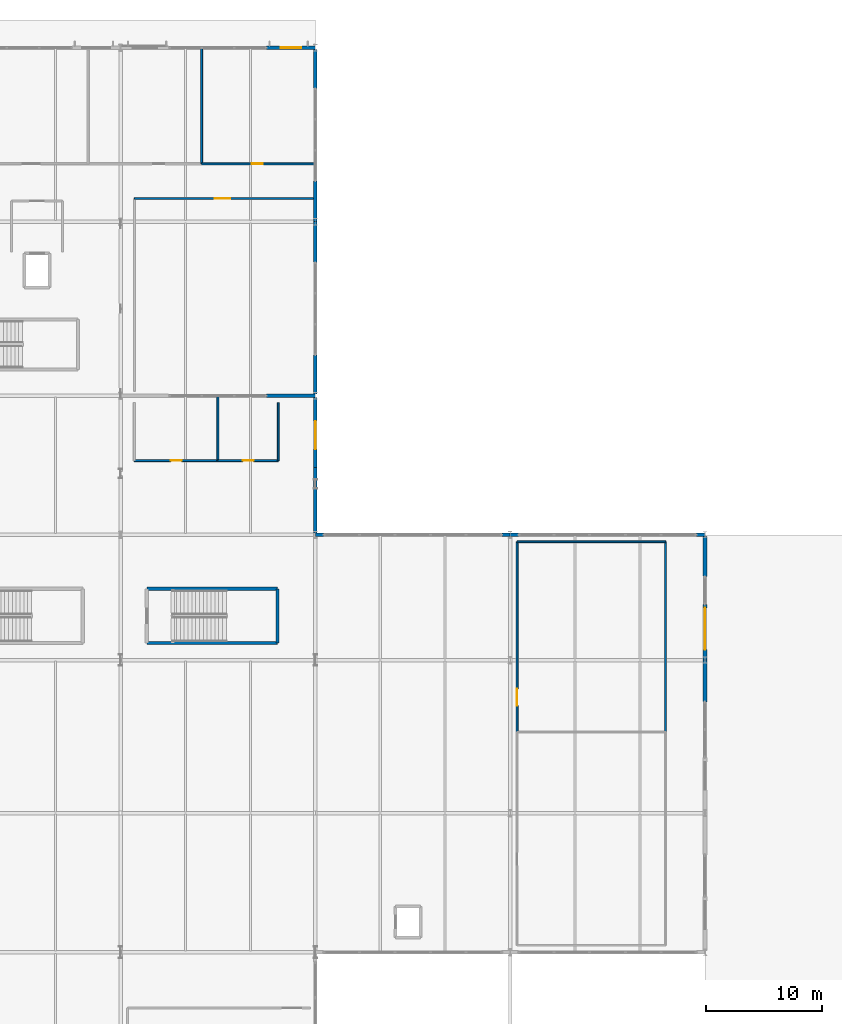
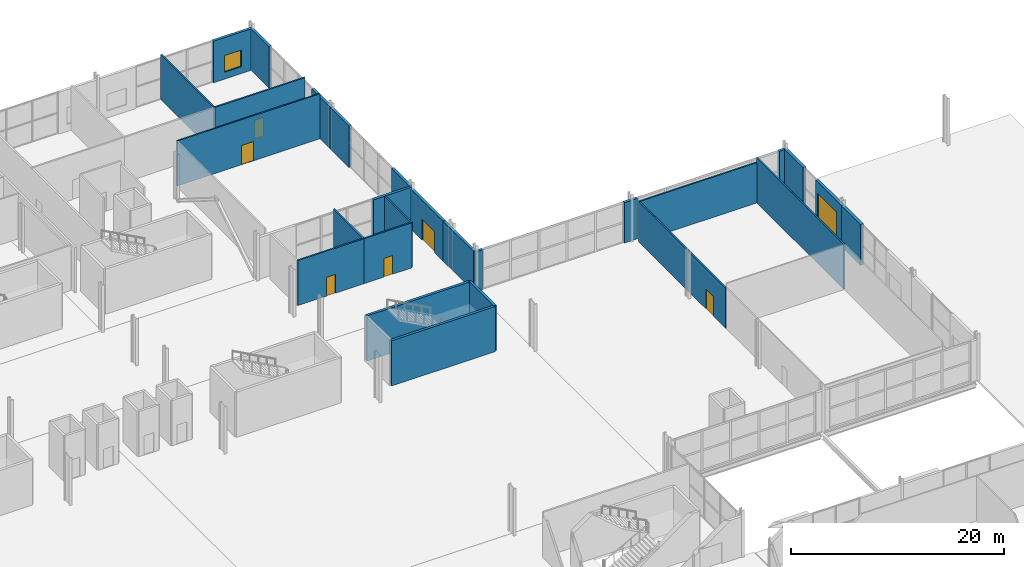
# One storey, part 70 of 87: 28 walls, 7 doors, 1 window, 8 openings.
"""IFC4 building model written with IfcOpenShell, lengths in metres."""

from ifc_helpers import new_model, si_unit, direction, frame, frame_2d, origin, place, context, subcontext, project, spatial, rectangle, extrude, material, layer, layer_set, type_object, element, fill, save


model = new_model("IFC4")

# Units and contexts
model_context = context("Model", 3, precision=1e-05, world=origin(), true_north=direction((0.0, 1.0)))
body_context = subcontext(model_context, "Body", "Model", "MODEL_VIEW")
ifc_project = project(units=[si_unit("LENGTHUNIT", "METRE"), si_unit("AREAUNIT", "SQUARE_METRE"), si_unit("VOLUMEUNIT", "CUBIC_METRE"), si_unit("PLANEANGLEUNIT", "RADIAN"), si_unit("MASSUNIT", "GRAM", prefix="KILO")], contexts=[model_context])

# Site, building, storey
site_placement = place(None, origin())
site = spatial("IfcSite", under=ifc_project, at=site_placement, CompositionType="ELEMENT")
building_placement = place(site_placement, origin())
building = spatial("IfcBuilding", under=site, at=building_placement, Name="Kimbaza Rail Terminus", CompositionType="ELEMENT")
storey_placement = place(building_placement, origin())
storey = spatial("IfcBuildingStorey", under=building, at=storey_placement, Name="L00", CompositionType="ELEMENT", Elevation=0.0)

# Wall, opening, window
ifc_material_1 = material(Name="Precast concrete C40/50", Category="concrete")
ifc_layer_1 = layer(ifc_material_1, 0.280029296875)
ifc_layer_set_1 = layer_set([ifc_layer_1], Name="Precast concrete C40/50")
wall_type_1 = type_object("IfcWallType", Name="ARC-WL-EXT280", PredefinedType="STANDARD", material=ifc_layer_set_1)
wall_1_placement = place(storey_placement, frame((151.800048828125, 133.0, 0.0), z_axis=(0.0, 0.0, 1.0), x_axis=(1.0, 0.0, 0.0)))
wall_1 = element("IfcWall", 1, at=wall_1_placement, inside=storey, type_object=wall_type_1, Name="Operations North Pier L00 5B", PredefinedType="STANDARD", context=body_context, shape_type="SweptSolid", body=[
    extrude(rectangle(XDim=4.199951171875, YDim=0.280029296875, at=frame_2d((2.10009765625, 0.0))), origin(), (0.0, 0.0, 1.0), 4.764892578125),
])
opening_1_placement = place(wall_1_placement, frame((1.199951171875, 0.0, 0.800048828125)))
opening_1 = element("IfcOpeningElement", 2, at=opening_1_placement, cuts=wall_1, Name="Opening W-07", PredefinedType="OPENING", context=body_context, shape_type="SweptSolid", body=[
    extrude(rectangle(XDim=1.800048828125, YDim=1.89990234375, at=frame_2d((0.89990234375, 0.949951171875))), frame((0.0, 0.14990234375, 0.0), z_axis=(0.0, -1.0, 0.0), x_axis=(1.0, 0.0, 0.0)), (0.0, 0.0, 1.0), 0.300048828125),
])
ifc_material_2 = material(Name="Thermally broken aluminium and solar low-E glass", Category="aluminium")
window_type = type_object("IfcWindowType", Name="ARC-WIN-W-07", PartitioningType="SINGLE_PANEL", PredefinedType="WINDOW", material=ifc_material_2)
window_placement = place(opening_1_placement, origin())
window = element("IfcWindow", 3, at=window_placement, inside=storey, type_object=window_type, Name="North Facade Window W-07", OverallHeight=1.89990234375, OverallWidth=1.800048828125, PartitioningType="SINGLE_PANEL", PredefinedType="WINDOW", context=body_context, shape_type="SweptSolid", body=[
    extrude(rectangle(XDim=1.800048828125, YDim=1.89990234375, at=frame_2d((0.89990234375, 0.949951171875))), frame((0.0, 0.030029296875, 0.0), z_axis=(0.0, -1.0, 0.0), x_axis=(1.0, 0.0, 0.0)), (0.0, 0.0, 1.0), 0.06005859375),
])
fill(opening_1, window)

# Walls
wall_2_placement = place(storey_placement, frame((151.800048828125, 103.0, 0.0), z_axis=(0.0, 0.0, 1.0), x_axis=(1.0, 0.0, 0.0)))
element("IfcWall", 4, at=wall_2_placement, inside=storey, type_object=wall_type_1, Name="Operations South Wall L00 5B", PredefinedType="STANDARD", context=body_context, shape_type="SweptSolid", body=[
    extrude(rectangle(XDim=4.199951171875, YDim=0.280029296875, at=frame_2d((2.10009765625, 0.0))), origin(), (0.0, 0.0, 1.0), 4.764892578125),
])
wall_3_placement = place(storey_placement, frame((156.0, 103.139892578125, 0.0), z_axis=(0.0, 0.0, 1.0), x_axis=(0.0, 1.0, 0.0)))
element("IfcWall", 5, at=wall_3_placement, inside=storey, type_object=wall_type_1, Name="Operations E End Pier L00", PredefinedType="STANDARD", context=body_context, shape_type="SweptSolid", body=[
    extrude(rectangle(XDim=3.360107421875, YDim=0.280029296875, at=frame_2d((1.68017578125, 0.0))), origin(), (0.0, 0.0, 1.0), 4.764892578125),
])
for number, where, z_axis, x_axis, name in (
    (6, (156.0, 114.5, 0.0), (0.0, 0.0, 1.0), (0.0, 1.0, 0.0), "Operations E Corner Wall L00"),
    (7, (156.0, 118.0, 0.0), (0.0, 0.0, 1.0), (0.0, 1.0, 0.0), "Operations E End Pier L00"),
):
    element("IfcWall", number, at=place(storey_placement, frame(where, z_axis=z_axis, x_axis=x_axis)), inside=storey, type_object=wall_type_1, Name=name, PredefinedType="STANDARD", context=body_context, shape_type="SweptSolid", body=[
        extrude(rectangle(XDim=3.5, YDim=0.280029296875, at=frame_2d((1.75, 0.0))), origin(), (0.0, 0.0, 1.0), 4.764892578125),
    ])
wall_4_placement = place(storey_placement, frame((156.0, 129.5, 0.0), z_axis=(0.0, 0.0, 1.0), x_axis=(0.0, 1.0, 0.0)))
element("IfcWall", 8, at=wall_4_placement, inside=storey, type_object=wall_type_1, Name="Operations E Corner Wall L00", PredefinedType="STANDARD", context=body_context, shape_type="SweptSolid", body=[
    extrude(rectangle(XDim=3.360107421875, YDim=0.280029296875, at=frame_2d((1.68017578125, 0.0))), origin(), (0.0, 0.0, 1.0), 4.764892578125),
])
for number, where, z_axis, x_axis, name in (
    (9, (156.0, 91.0, 0.0), (0.0, 0.0, 1.0), (1.0, 0.0, 0.0), "Ticket Hall Wing E Curtain Wall L00.1 Corner Pier A"),
    (10, (172.080078125, 91.0, 0.0), (0.0, 0.0, 1.0), (1.0, 0.0, 0.0), "Ticket Hall Wing E Curtain Wall L00.1 Corner Pier B"),
    (11, (172.800048828125, 91.0, 0.0), (0.0, 0.0, 1.0), (1.0, 0.0, 0.0), "Ticket Hall Wing E Curtain Wall L00.2 Corner Pier A"),
):
    element("IfcWall", number, at=place(storey_placement, frame(where, z_axis=z_axis, x_axis=x_axis)), inside=storey, type_object=wall_type_1, Name=name, PredefinedType="STANDARD", context=body_context, shape_type="SweptSolid", body=[
        extrude(rectangle(XDim=0.719970703125, YDim=0.280029296875, at=frame_2d((0.35986328125, 0.0))), origin(), (0.0, 0.0, 1.0), 4.625),
    ])
wall_5_placement = place(storey_placement, frame((188.8798828125, 91.0, 0.0), z_axis=(0.0, 0.0, 1.0), x_axis=(1.0, 0.0, 0.0)))
element("IfcWall", 12, at=wall_5_placement, inside=storey, type_object=wall_type_1, Name="Ticket Hall Wing E Curtain Wall L00.2 Corner Pier B", PredefinedType="STANDARD", context=body_context, shape_type="SweptSolid", body=[
    extrude(rectangle(XDim=0.72021484375, YDim=0.280029296875, at=frame_2d((0.360107421875, 0.0))), origin(), (0.0, 0.0, 1.0), 4.625),
])
wall_6_placement = place(storey_placement, frame((156.0, 91.139892578125, 0.0), z_axis=(0.0, 0.0, 1.0), x_axis=(0.0, 1.0, 0.0)))
element("IfcWall", 13, at=wall_6_placement, inside=storey, type_object=wall_type_1, Name="Link Hall E Wall L00A", PredefinedType="STANDARD", context=body_context, shape_type="SweptSolid", body=[
    extrude(rectangle(XDim=5.66015625, YDim=0.280029296875, at=frame_2d((2.830078125, 0.0))), origin(), (0.0, 0.0, 1.0), 4.574951171875),
])

# Wall, opening, door
wall_7_placement = place(storey_placement, frame((156.0, 96.800048828125, 0.0), z_axis=(0.0, 0.0, 1.0), x_axis=(0.0, 1.0, 0.0)))
wall_7 = element("IfcWall", 14, at=wall_7_placement, inside=storey, type_object=wall_type_1, Name="Link Hall E Wall L00B", PredefinedType="STANDARD", context=body_context, shape_type="SweptSolid", body=[
    extrude(rectangle(XDim=6.06005859375, YDim=0.280029296875, at=frame_2d((3.030029296875, 0.0))), origin(), (0.0, 0.0, 1.0), 4.574951171875),
])
opening_2_placement = place(wall_7_placement, frame((4.0, 0.0, 0.0), z_axis=(0.0, 0.0, 1.0), x_axis=(-1.0, 0.0, 0.0)))
opening_2 = element("IfcOpeningElement", 15, at=opening_2_placement, cuts=wall_7, Name="Opening D-EX1", PredefinedType="OPENING", context=body_context, shape_type="SweptSolid", body=[
    extrude(rectangle(XDim=2.39990234375, YDim=2.39990234375, at=frame_2d((1.199951171875, 1.199951171875))), frame((0.0, 0.14990234375, 0.0), z_axis=(0.0, -1.0, 0.0), x_axis=(1.0, 0.0, 0.0)), (0.0, 0.0, 1.0), 0.300048828125),
])
ifc_material_3 = material(Name="Anodised aluminium and toughened safety glass", Category="aluminium")
door_type_1 = type_object("IfcDoorType", Name="ARC-DR-EX240", OperationType="NOTDEFINED", PredefinedType="DOOR", material=ifc_material_3)
door_1_placement = place(opening_2_placement, origin())
door_1 = element("IfcDoor", 16, at=door_1_placement, inside=storey, type_object=door_type_1, Name="DR-EX-LNKE", OperationType="SINGLE_SWING_LEFT", OverallHeight=2.39990234375, OverallWidth=2.39990234375, PredefinedType="DOOR", context=body_context, shape_type="SweptSolid", body=[
    extrude(rectangle(XDim=2.39990234375, YDim=2.39990234375, at=frame_2d((1.199951171875, 1.199951171875))), frame((0.0, 0.02490234375, 0.0), z_axis=(0.0, -1.0, 0.0), x_axis=(1.0, 0.0, 0.0)), (0.0, 0.0, 1.0), 0.050048828125),
])
fill(opening_2, door_1)

# Wall
ifc_material_4 = material(Name="Precast concrete C40/50", Category="concrete")
ifc_layer_2 = layer(ifc_material_4, 0.320068359375)
ifc_layer_set_2 = layer_set([ifc_layer_2], Name="Precast concrete C40/50")
wall_type_2 = type_object("IfcWallType", Name="ARC-WL-EXT320", PredefinedType="STANDARD", material=ifc_layer_set_2)
wall_8_placement = place(storey_placement, frame((189.60009765625, 76.60009765625, 0.0), z_axis=(0.0, 0.0, 1.0), x_axis=(0.0, 1.0, 0.0)))
element("IfcWall", 17, at=wall_8_placement, inside=storey, type_object=wall_type_2, Name="Ticket Hall E Pier L00.2", PredefinedType="STANDARD", context=body_context, shape_type="SweptSolid", body=[
    extrude(rectangle(XDim=3.599853515625, YDim=0.320068359375, at=frame_2d((1.7998046875, 0.0))), origin(), (0.0, 0.0, 1.0), 4.675048828125),
])

# Wall, opening, door
wall_9_placement = place(storey_placement, frame((189.60009765625, 80.199951171875, 0.0), z_axis=(0.0, 0.0, 1.0), x_axis=(0.0, 1.0, 0.0)))
wall_9 = element("IfcWall", 18, at=wall_9_placement, inside=storey, type_object=wall_type_2, Name="Ticket Hall E Flank Wall L00.3", PredefinedType="STANDARD", context=body_context, shape_type="SweptSolid", body=[
    extrude(rectangle(XDim=4.800048828125, YDim=0.320068359375, at=frame_2d((2.39990234375, 0.0))), origin(), (0.0, 0.0, 1.0), 4.675048828125),
])
opening_3_placement = place(wall_9_placement, frame((4.5, 0.0, 0.0), z_axis=(0.0, 0.0, 1.0), x_axis=(-1.0, 0.0, 0.0)))
opening_3 = element("IfcOpeningElement", 19, at=opening_3_placement, cuts=wall_9, Name="Opening D-GT2", PredefinedType="OPENING", context=body_context, shape_type="SweptSolid", body=[
    extrude(rectangle(XDim=3.60009765625, YDim=3.39990234375, at=frame_2d((1.800048828125, 1.699951171875))), frame((0.0, 0.169921875, 0.0), z_axis=(0.0, -1.0, 0.0), x_axis=(1.0, 0.0, 0.0)), (0.0, 0.0, 1.0), 0.340087890625),
])
ifc_material_5 = material(Name="Galvanised steel baggage service shutter", Category="steel")
door_type_2 = type_object("IfcDoorType", Name="ARC-DR-GAT36", OperationType="NOTDEFINED", PredefinedType="GATE", material=ifc_material_5)
door_2_placement = place(opening_3_placement, origin())
door_2 = element("IfcDoor", 20, at=door_2_placement, inside=storey, type_object=door_type_2, Name="DR-GAT-E2", OperationType="ROLLINGUP", OverallHeight=3.39990234375, OverallWidth=3.60009765625, PredefinedType="GATE", context=body_context, shape_type="SweptSolid", body=[
    extrude(rectangle(XDim=3.60009765625, YDim=3.39990234375, at=frame_2d((1.800048828125, 1.699951171875))), frame((0.0, 0.02490234375, 0.0), z_axis=(0.0, -1.0, 0.0), x_axis=(1.0, 0.0, 0.0)), (0.0, 0.0, 1.0), 0.050048828125),
])
fill(opening_3, door_2)

# Wall
wall_10_placement = place(storey_placement, frame((189.60009765625, 87.39990234375, 0.0), z_axis=(0.0, 0.0, 1.0), x_axis=(0.0, 1.0, 0.0)))
element("IfcWall", 21, at=wall_10_placement, inside=storey, type_object=wall_type_2, Name="Ticket Hall E Pier L00.3", PredefinedType="STANDARD", context=body_context, shape_type="SweptSolid", body=[
    extrude(rectangle(XDim=3.460205078125, YDim=0.320068359375, at=frame_2d((1.72998046875, 0.0))), origin(), (0.0, 0.0, 1.0), 4.675048828125),
])

# Wall, opening, door
ifc_material_6 = material(Name="Acoustic gypsum stud partition", Category="gypsum")
ifc_layer_3 = layer(ifc_material_6, 0.14990234375)
ifc_layer_set_3 = layer_set([ifc_layer_3], Name="Acoustic gypsum stud partition")
wall_type_3 = type_object("IfcWallType", Name="ARC-WL-PART150", PredefinedType="PARTITIONING", material=ifc_layer_set_3)
wall_11_placement = place(storey_placement, frame((155.860107421875, 120.0, 0.0), z_axis=(0.0, 0.0, 1.0), x_axis=(-1.0, 0.0, 0.0)))
wall_11 = element("IfcWall", 22, at=wall_11_placement, inside=storey, type_object=wall_type_3, Name="L00 East Telecoms Technical Office Partition (north)", PredefinedType="PARTITIONING", context=body_context, shape_type="SweptSolid", body=[
    extrude(rectangle(XDim=15.460205078125, YDim=0.14990234375, at=frame_2d((7.72998046875, 0.0))), origin(), (0.0, 0.0, 1.0), 5.159912109375),
])
opening_4_placement = place(wall_11_placement, frame((7.18505859375, 0.0, 0.0)))
opening_4 = element("IfcOpeningElement", 23, at=opening_4_placement, cuts=wall_11, Name="Opening ID-02", PredefinedType="OPENING", context=body_context, shape_type="SweptSolid", body=[
    extrude(rectangle(XDim=1.35009765625, YDim=2.199951171875, at=frame_2d((0.675048828125, 1.10009765625))), frame((0.0, 0.0849609375, 0.0), z_axis=(0.0, -1.0, 0.0), x_axis=(1.0, 0.0, 0.0)), (0.0, 0.0, 1.0), 0.169921875),
])
ifc_material_7 = material(Name="Anodised aluminium glazed lounge door", Category="aluminium")
door_type_3 = type_object("IfcDoorType", Name="ARC-DR-ID135", OperationType="NOTDEFINED", PredefinedType="DOOR", material=ifc_material_7)
door_3_placement = place(opening_4_placement, origin())
door_3 = element("IfcDoor", 24, at=door_3_placement, inside=storey, type_object=door_type_3, Name="IDR-SPC-V5S-L00-5", OperationType="SINGLE_SWING_LEFT", OverallHeight=2.199951171875, OverallWidth=1.35009765625, PredefinedType="DOOR", context=body_context, shape_type="SweptSolid", body=[
    extrude(rectangle(XDim=1.35009765625, YDim=2.199951171875, at=frame_2d((0.675048828125, 1.10009765625))), frame((0.0, 0.02490234375, 0.0), z_axis=(0.0, -1.0, 0.0), x_axis=(1.0, 0.0, 0.0)), (0.0, 0.0, 1.0), 0.050048828125),
])
fill(opening_4, door_3)

# Walls
ifc_material_8 = material(Name="Acoustic gypsum stud partition", Category="gypsum")
ifc_layer_4 = layer(ifc_material_8, 0.159912109375)
ifc_layer_set_4 = layer_set([ifc_layer_4], Name="Acoustic gypsum stud partition")
wall_type_4 = type_object("IfcWallType", Name="ARC-WL-PART160", PredefinedType="PARTITIONING", material=ifc_layer_set_4)
wall_12_placement = place(storey_placement, frame((186.199951171875, 74.0, 0.0), z_axis=(0.0, 0.0, 1.0), x_axis=(0.0, 1.0, 0.0)))
element("IfcWall", 25, at=wall_12_placement, inside=storey, type_object=wall_type_4, Name="Tourist Information and Rail Pass Desk Partition (east)", PredefinedType="PARTITIONING", context=body_context, shape_type="SweptSolid", body=[
    extrude(rectangle(XDim=16.39990234375, YDim=0.159912109375, at=frame_2d((8.199951171875, 0.0))), origin(), (0.0, 0.0, 1.0), 5.159912109375),
])
wall_13_placement = place(storey_placement, frame((186.199951171875, 90.39990234375, 0.0), z_axis=(0.0, 0.0, 1.0), x_axis=(-1.0, 0.0, 0.0)))
element("IfcWall", 26, at=wall_13_placement, inside=storey, type_object=wall_type_4, Name="Tourist Information and Rail Pass Desk Partition (north)", PredefinedType="PARTITIONING", context=body_context, shape_type="SweptSolid", body=[
    extrude(rectangle(XDim=12.800048828125, YDim=0.159912109375, at=frame_2d((6.39990234375, 0.0))), origin(), (0.0, 0.0, 1.0), 4.625),
])

# Wall, opening, door
wall_14_placement = place(storey_placement, frame((173.39990234375, 90.39990234375, 0.0), z_axis=(0.0, 0.0, 1.0), x_axis=(0.0, -1.0, 0.0)))
wall_14 = element("IfcWall", 27, at=wall_14_placement, inside=storey, type_object=wall_type_4, Name="Tourist Information and Rail Pass Desk Partition (west)", PredefinedType="PARTITIONING", context=body_context, shape_type="SweptSolid", body=[
    extrude(rectangle(XDim=16.39990234375, YDim=0.159912109375, at=frame_2d((8.199951171875, 0.0))), origin(), (0.0, 0.0, 1.0), 4.625),
])
opening_5_placement = place(wall_14_placement, frame((14.125, 0.0, 0.0), z_axis=(0.0, 0.0, 1.0), x_axis=(-1.0, 0.0, 0.0)))
opening_5 = element("IfcOpeningElement", 28, at=opening_5_placement, cuts=wall_14, Name="Opening ID-07", PredefinedType="OPENING", context=body_context, shape_type="SweptSolid", body=[
    extrude(rectangle(XDim=1.449951171875, YDim=2.25, at=frame_2d((0.72509765625, 1.125))), frame((0.0, 0.08984375, 0.0), z_axis=(0.0, -1.0, 0.0), x_axis=(1.0, 0.0, 0.0)), (0.0, 0.0, 1.0), 0.179931640625),
])
ifc_material_9 = material(Name="Retail shopfront glazed entrance door", Category="aluminium")
door_type_4 = type_object("IfcDoorType", Name="ARC-DR-ID145", OperationType="NOTDEFINED", PredefinedType="DOOR", material=ifc_material_9)
door_4_placement = place(opening_5_placement, origin())
door_4 = element("IfcDoor", 29, at=door_4_placement, inside=storey, type_object=door_type_4, Name="IDR-SPC-L00-INFO", OperationType="SINGLE_SWING_RIGHT", OverallHeight=2.25, OverallWidth=1.449951171875, PredefinedType="DOOR", context=body_context, shape_type="SweptSolid", body=[
    extrude(rectangle(XDim=1.449951171875, YDim=2.25, at=frame_2d((0.72509765625, 1.125))), frame((0.0, 0.02490234375, 0.0), z_axis=(0.0, -1.0, 0.0), x_axis=(1.0, 0.0, 0.0)), (0.0, 0.0, 1.0), 0.050048828125),
])
fill(opening_5, door_4)

# Wall
ifc_material_10 = material(Name="Moisture-resistant blockwork C25/30", Category="masonry")
ifc_layer_5 = layer(ifc_material_10, 0.169921875)
ifc_layer_set_5 = layer_set([ifc_layer_5], Name="Moisture-resistant blockwork C25/30")
wall_type_5 = type_object("IfcWallType", Name="ARC-WL-PLMB170", PredefinedType="PLUMBINGWALL", material=ifc_layer_set_5)
wall_15_placement = place(storey_placement, frame((146.199951171875, 123.0, 0.0), z_axis=(0.0, 0.0, 1.0), x_axis=(0.0, 1.0, 0.0)))
element("IfcWall", 30, at=wall_15_placement, inside=storey, type_object=wall_type_5, Name="Operations Male and Female WC Partition (east)", PredefinedType="PLUMBINGWALL", context=body_context, shape_type="SweptSolid", body=[
    extrude(rectangle(XDim=9.97998046875, YDim=0.169921875, at=frame_2d((4.989990234375, 0.0))), origin(), (0.0, 0.0, 1.0), 5.159912109375),
])

# Wall, opening, door
wall_16_placement = place(storey_placement, frame((146.199951171875, 123.0, 0.0), z_axis=(0.0, 0.0, 1.0), x_axis=(1.0, 0.0, 0.0)))
wall_16 = element("IfcWall", 31, at=wall_16_placement, inside=storey, type_object=wall_type_5, Name="Operations Accessible WC Partition (south)", PredefinedType="PLUMBINGWALL", context=body_context, shape_type="SweptSolid", body=[
    extrude(rectangle(XDim=9.780029296875, YDim=0.169921875, at=frame_2d((4.89013671875, 0.0))), origin(), (0.0, 0.0, 1.0), 5.159912109375),
])
opening_6_placement = place(wall_16_placement, frame((4.324951171875, 0.0, 0.0)))
opening_6 = element("IfcOpeningElement", 32, at=opening_6_placement, cuts=wall_16, Name="Opening ID-06", PredefinedType="OPENING", context=body_context, shape_type="SweptSolid", body=[
    extrude(rectangle(XDim=0.949951171875, YDim=2.14990234375, at=frame_2d((0.47509765625, 1.074951171875))), frame((0.0, 0.094970703125, 0.0), z_axis=(0.0, -1.0, 0.0), x_axis=(1.0, 0.0, 0.0)), (0.0, 0.0, 1.0), 0.18994140625),
])
ifc_material_11 = material(Name="Accessible washroom outward-capable door", Category="wood")
door_type_5 = type_object("IfcDoorType", Name="ARC-DR-ID095", OperationType="NOTDEFINED", PredefinedType="DOOR", material=ifc_material_11)
door_5_placement = place(opening_6_placement, origin())
door_5 = element("IfcDoor", 33, at=door_5_placement, inside=storey, type_object=door_type_5, Name="IDR-SPC-V5N-L00-08", OperationType="SINGLE_SWING_RIGHT", OverallHeight=2.14990234375, OverallWidth=0.949951171875, PredefinedType="DOOR", context=body_context, shape_type="SweptSolid", body=[
    extrude(rectangle(XDim=0.949951171875, YDim=2.14990234375, at=frame_2d((0.47509765625, 1.074951171875))), frame((0.0, 0.02490234375, 0.0), z_axis=(0.0, -1.0, 0.0), x_axis=(1.0, 0.0, 0.0)), (0.0, 0.0, 1.0), 0.050048828125),
])
fill(opening_6, door_5)

wall_17_placement = place(storey_placement, frame((140.39990234375, 97.39990234375, 0.0), z_axis=(0.0, 0.0, 1.0), x_axis=(1.0, 0.0, 0.0)))
wall_17 = element("IfcWall", 34, at=wall_17_placement, inside=storey, type_object=wall_type_5, Name="Main Concourse Male WC Partition (south)", PredefinedType="PLUMBINGWALL", context=body_context, shape_type="SweptSolid", body=[
    extrude(rectangle(XDim=7.2001953125, YDim=0.169921875, at=frame_2d((3.60009765625, 0.0))), origin(), (0.0, 0.0, 1.0), 5.159912109375),
])
opening_7_placement = place(wall_17_placement, frame((3.125, 0.0, 0.0)))
opening_7 = element("IfcOpeningElement", 35, at=opening_7_placement, cuts=wall_17, Name="Opening ID-06", PredefinedType="OPENING", context=body_context, shape_type="SweptSolid", body=[
    extrude(rectangle(XDim=0.949951171875, YDim=2.14990234375, at=frame_2d((0.47509765625, 1.074951171875))), frame((0.0, 0.094970703125, 0.0), z_axis=(0.0, -1.0, 0.0), x_axis=(1.0, 0.0, 0.0)), (0.0, 0.0, 1.0), 0.18994140625),
])
door_6_placement = place(opening_7_placement, origin())
door_6 = element("IfcDoor", 36, at=door_6_placement, inside=storey, type_object=door_type_5, Name="IDR-SPC-L00-PWC1", OperationType="SINGLE_SWING_LEFT", OverallHeight=2.14990234375, OverallWidth=0.949951171875, PredefinedType="DOOR", context=body_context, shape_type="SweptSolid", body=[
    extrude(rectangle(XDim=0.949951171875, YDim=2.14990234375, at=frame_2d((0.47509765625, 1.074951171875))), frame((0.0, 0.02490234375, 0.0), z_axis=(0.0, -1.0, 0.0), x_axis=(1.0, 0.0, 0.0)), (0.0, 0.0, 1.0), 0.050048828125),
])
fill(opening_7, door_6)

# Wall
wall_18_placement = place(storey_placement, frame((147.60009765625, 97.39990234375, 0.0), z_axis=(0.0, 0.0, 1.0), x_axis=(0.0, 1.0, 0.0)))
element("IfcWall", 37, at=wall_18_placement, inside=storey, type_object=wall_type_5, Name="Main Concourse Male WC Partition (east)", PredefinedType="PLUMBINGWALL", context=body_context, shape_type="SweptSolid", body=[
    extrude(rectangle(XDim=5.580078125, YDim=0.169921875, at=frame_2d((2.7900390625, 0.0))), origin(), (0.0, 0.0, 1.0), 5.159912109375),
])

# Wall, opening, door
wall_19_placement = place(storey_placement, frame((147.60009765625, 97.39990234375, 0.0), z_axis=(0.0, 0.0, 1.0), x_axis=(1.0, 0.0, 0.0)))
wall_19 = element("IfcWall", 38, at=wall_19_placement, inside=storey, type_object=wall_type_5, Name="Main Concourse Female WC Partition (south)", PredefinedType="PLUMBINGWALL", context=body_context, shape_type="SweptSolid", body=[
    extrude(rectangle(XDim=5.199951171875, YDim=0.169921875, at=frame_2d((2.60009765625, 0.0))), origin(), (0.0, 0.0, 1.0), 5.159912109375),
])
opening_8_placement = place(wall_19_placement, frame((2.125, 0.0, 0.0)))
opening_8 = element("IfcOpeningElement", 39, at=opening_8_placement, cuts=wall_19, Name="Opening ID-06", PredefinedType="OPENING", context=body_context, shape_type="SweptSolid", body=[
    extrude(rectangle(XDim=0.949951171875, YDim=2.14990234375, at=frame_2d((0.47509765625, 1.074951171875))), frame((0.0, 0.094970703125, 0.0), z_axis=(0.0, -1.0, 0.0), x_axis=(1.0, 0.0, 0.0)), (0.0, 0.0, 1.0), 0.18994140625),
])
door_7_placement = place(opening_8_placement, origin())
door_7 = element("IfcDoor", 40, at=door_7_placement, inside=storey, type_object=door_type_5, Name="IDR-SPC-L00-PWC2", OperationType="SINGLE_SWING_RIGHT", OverallHeight=2.14990234375, OverallWidth=0.949951171875, PredefinedType="DOOR", context=body_context, shape_type="SweptSolid", body=[
    extrude(rectangle(XDim=0.949951171875, YDim=2.14990234375, at=frame_2d((0.47509765625, 1.074951171875))), frame((0.0, 0.02490234375, 0.0), z_axis=(0.0, -1.0, 0.0), x_axis=(1.0, 0.0, 0.0)), (0.0, 0.0, 1.0), 0.050048828125),
])
fill(opening_8, door_7)

# Walls
wall_20_placement = place(storey_placement, frame((152.800048828125, 97.39990234375, 0.0), z_axis=(0.0, 0.0, 1.0), x_axis=(0.0, 1.0, 0.0)))
element("IfcWall", 41, at=wall_20_placement, inside=storey, type_object=wall_type_5, Name="Main Concourse Female WC Partition (east)", PredefinedType="PLUMBINGWALL", context=body_context, shape_type="SweptSolid", body=[
    extrude(rectangle(XDim=5.0, YDim=0.169921875, at=frame_2d((2.5, 0.0))), origin(), (0.0, 0.0, 1.0), 5.159912109375),
])
ifc_material_12 = material(Name="Concrete C40/50", Category="concrete")
ifc_layer_6 = layer(ifc_material_12, 0.280029296875)
ifc_layer_set_6 = layer_set([ifc_layer_6], Name="Concrete C40/50")
wall_type_6 = type_object("IfcWallType", Name="STR-WL-CORE280", PredefinedType="SHEAR", material=ifc_layer_set_6)
wall_21_placement = place(storey_placement, frame((141.4599609375, 81.659912109375, 0.0), z_axis=(0.0, 0.0, 1.0), x_axis=(1.0, 0.0, 0.0)))
element("IfcWall", 42, at=wall_21_placement, inside=storey, type_object=wall_type_6, Name="Platform East Concourse Stair Shaft Wall L00-1", PredefinedType="SHEAR", context=body_context, shape_type="SweptSolid", body=[
    extrude(rectangle(XDim=11.280029296875, YDim=0.280029296875, at=frame_2d((5.64013671875, 0.0))), origin(), (0.0, 0.0, 1.0), 5.179931640625),
])
wall_22_placement = place(storey_placement, frame((152.739990234375, 81.659912109375, 0.0), z_axis=(0.0, 0.0, 1.0), x_axis=(0.0, 1.0, 0.0)))
element("IfcWall", 43, at=wall_22_placement, inside=storey, type_object=wall_type_6, Name="Platform East Concourse Stair Shaft Wall L00-2", PredefinedType="SHEAR", context=body_context, shape_type="SweptSolid", body=[
    extrude(rectangle(XDim=4.68017578125, YDim=0.280029296875, at=frame_2d((2.340087890625, 0.0))), origin(), (0.0, 0.0, 1.0), 5.179931640625),
])
wall_23_placement = place(storey_placement, frame((152.739990234375, 86.340087890625, 0.0), z_axis=(0.0, 0.0, 1.0), x_axis=(-1.0, 0.0, 0.0)))
element("IfcWall", 44, at=wall_23_placement, inside=storey, type_object=wall_type_6, Name="Platform East Concourse Stair Shaft Wall L00-3", PredefinedType="SHEAR", context=body_context, shape_type="SweptSolid", body=[
    extrude(rectangle(XDim=11.280029296875, YDim=0.280029296875, at=frame_2d((5.64013671875, 0.0))), origin(), (0.0, 0.0, 1.0), 5.179931640625),
])

save(model, "model.ifc")
